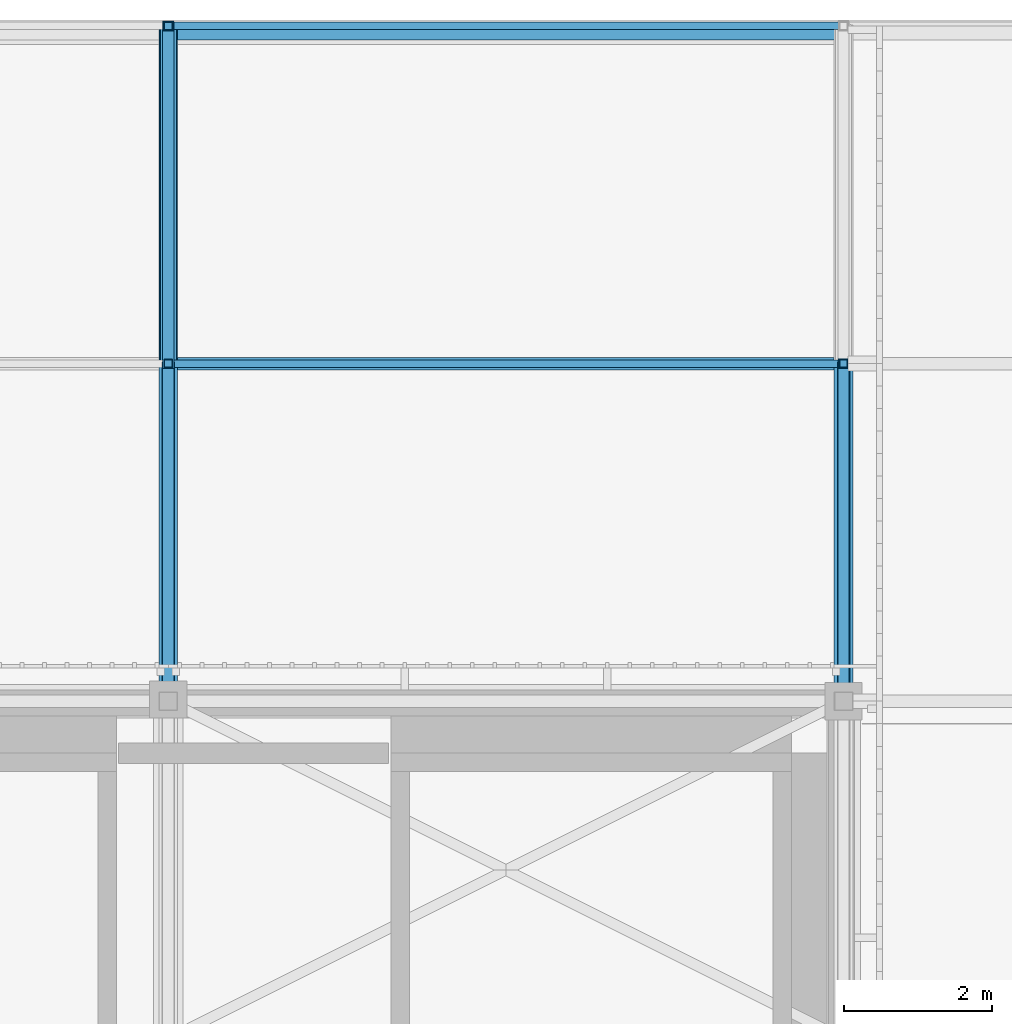
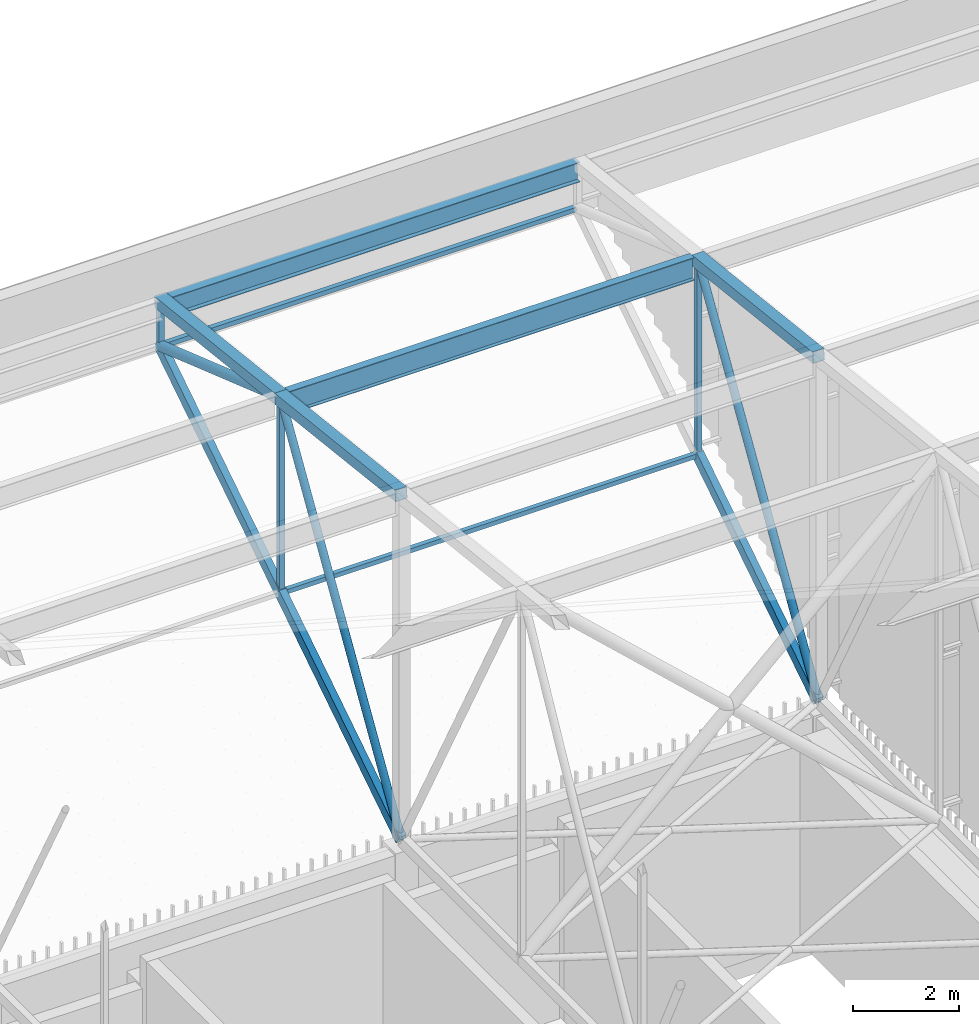
# One storey, part 408 of 500: 16 members.
"""IFC4 building model written with IfcOpenShell, lengths in metres."""

from ifc_helpers import new_model, si_unit, direction, frame, origin, origin_2d, place, context, subcontext, project, spatial, hollow_rectangle, hollow_circle, i_section, extrude, material, material_profile, profile_set, type_object, element, save


model = new_model("IFC4")

# Units and contexts
model_context = context("Model", 3, precision=1e-05, world=origin(), true_north=direction((0.0, 1.0)))
body_context = subcontext(model_context, "Body", "Model", "MODEL_VIEW")
ifc_project = project(units=[si_unit("LENGTHUNIT", "METRE"), si_unit("AREAUNIT", "SQUARE_METRE"), si_unit("VOLUMEUNIT", "CUBIC_METRE"), si_unit("PLANEANGLEUNIT", "RADIAN"), si_unit("MASSUNIT", "GRAM", prefix="KILO")], contexts=[model_context])

# Site, building, storey
site_placement = place(None, origin())
site = spatial("IfcSite", under=ifc_project, at=site_placement, CompositionType="ELEMENT")
building_placement = place(site_placement, origin())
building = spatial("IfcBuilding", under=site, at=building_placement, Name="Shirokan Park Arena", CompositionType="ELEMENT")
storey_placement = place(building_placement, frame((0.0, 0.0, 29.1201171875)))
storey = spatial("IfcBuildingStorey", under=building, at=storey_placement, Name="L06", CompositionType="ELEMENT", Elevation=29.1201171875)

# Members
ifc_material_1 = material(Name="Steel ASTM A500 Grade C", Category="steel")
ifc_material_profile_1 = material_profile(ifc_material_1, hollow_rectangle(XDim=0.152099609375, YDim=0.25390625, WallThickness=0.009521484375, at=origin_2d()), Name="HSS254X152.4X9.5")
ifc_profile_set_1 = profile_set([ifc_material_profile_1], Name="Steel ASTM A500 Grade C")
member_type_1 = type_object("IfcMemberType", Name="Bottom chord HSS254X152.4X9.5", PredefinedType="CHORD", material=ifc_profile_set_1)
for number, where, z_axis, x_axis, name in (
    (1, (136.5, 109.199951171875, 4.677001953125), (0.0, 0.840971691661, 0.541079119746), (-1.0, 0.0, 0.0), "Truss T16 bottom chord 27"),
    (2, (136.5, 113.75, 7.6044921875), (0.0, 0.840971691661, 0.541079119746), (-1.0, 0.0, 0.0), "Truss T16 bottom chord 28"),
    (3, (145.60009765625, 109.199951171875, 4.677001953125), (0.0, 0.840971691661, 0.541079119746), (-1.0, 0.0, 0.0), "Truss T17 bottom chord 27"),
):
    element("IfcMember", number, at=place(storey_placement, frame(where, z_axis=z_axis, x_axis=x_axis)), inside=storey, type_object=member_type_1, Name=name, PredefinedType="CHORD", context=body_context, shape_type="SweptSolid", body=[
        extrude(hollow_rectangle(XDim=0.152099609375, YDim=0.25390625, WallThickness=0.009521484375, at=origin_2d()), origin(), (0.0, 0.0, 1.0), 5.410400390625),
    ])
ifc_material_profile_2 = material_profile(ifc_material_1, hollow_rectangle(XDim=0.10205078125, YDim=0.10205078125, WallThickness=0.00634765625, at=origin_2d()), Name="HSS101.6X101.6X6.4")
ifc_profile_set_2 = profile_set([ifc_material_profile_2], Name="Steel ASTM A500 Grade C")
member_type_2 = type_object("IfcMemberType", Name="Eave soffit rail HSS101.6X101.6X6.4", PredefinedType="USERDEFINED", material=ifc_profile_set_2)
for number, where, z_axis, x_axis, name in (
    (4, (136.556884765625, 118.300048828125, 10.531982421875), (1.0, 0.0, 0.0), (0.0, 1.0, 0.0), "Eave soffit rail N 29 bay 16"),
    (5, (136.556884765625, 113.75, 7.6044921875), (1.0, 0.0, 0.0), (0.0, 1.0, 0.0), "Eave soffit rail N 28 bay 16"),
):
    element("IfcMember", number, at=place(storey_placement, frame(where, z_axis=z_axis, x_axis=x_axis)), inside=storey, type_object=member_type_2, Name=name, ObjectType="EAVE SOFFIT RAIL", PredefinedType="USERDEFINED", context=body_context, shape_type="SweptSolid", body=[
        extrude(hollow_rectangle(XDim=0.10205078125, YDim=0.10205078125, WallThickness=0.00634765625, at=origin_2d()), origin(), (0.0, 0.0, 1.0), 8.986083984375),
    ])
ifc_material_2 = material(Name="Steel ASTM A992", Category="steel")
ifc_material_profile_3 = material_profile(ifc_material_2, i_section(OverallWidth=0.166015625, OverallDepth=0.528076171875, WebThickness=0.009765625, FlangeThickness=0.013671875, at=origin_2d()), Name="W530X74")
ifc_profile_set_3 = profile_set([ifc_material_profile_3], Name="Steel ASTM A992")
member_type_3 = type_object("IfcMemberType", Name="Purlin W530X74", PredefinedType="PURLIN", material=ifc_profile_set_3)
member_1_placement = place(storey_placement, frame((136.626953125, 113.75, 11.9658203125), z_axis=(1.0, 0.0, 0.0), x_axis=(0.0, 1.0, 0.0)))
element("IfcMember", 6, at=member_1_placement, inside=storey, type_object=member_type_3, Name="Purlin 28 bay 16", PredefinedType="PURLIN", context=body_context, shape_type="SweptSolid", body=[
    extrude(i_section(OverallWidth=0.166015625, OverallDepth=0.528076171875, WebThickness=0.009765625, FlangeThickness=0.013671875, at=origin_2d()), origin(), (0.0, 0.0, 1.0), 8.845947265625),
])
ifc_material_profile_4 = material_profile(ifc_material_2, i_section(OverallWidth=0.19091796875, OverallDepth=0.45703125, WebThickness=0.009033203125, FlangeThickness=0.014404296875, at=origin_2d()), Name="W460X74")
ifc_profile_set_4 = profile_set([ifc_material_profile_4], Name="Steel ASTM A992")
member_type_4 = type_object("IfcMemberType", Name="Roof edge beam W460X74", PredefinedType="USERDEFINED", material=ifc_profile_set_4)
member_2_placement = place(storey_placement, frame((136.556884765625, 118.20458984375, 11.4814453125), z_axis=(1.0, 0.0, 0.0), x_axis=(0.0, 1.0, 0.0)))
element("IfcMember", 7, at=member_2_placement, inside=storey, type_object=member_type_4, Name="Roof edge beam N 17", ObjectType="ROOF EDGE BEAM", PredefinedType="USERDEFINED", context=body_context, shape_type="SweptSolid", body=[
    extrude(i_section(OverallWidth=0.19091796875, OverallDepth=0.45703125, WebThickness=0.009033203125, FlangeThickness=0.014404296875, at=origin_2d()), origin(), (0.0, 0.0, 1.0), 8.986083984375),
])
ifc_material_profile_5 = material_profile(ifc_material_1, hollow_rectangle(XDim=0.25390625, YDim=0.25390625, WallThickness=0.009521484375, at=origin_2d()), Name="HSS254X254X9.5")
ifc_profile_set_5 = profile_set([ifc_material_profile_5], Name="Steel ASTM A500 Grade C")
member_type_5 = type_object("IfcMemberType", Name="Top chord HSS254X254X9.5", PredefinedType="CHORD", material=ifc_profile_set_5)
for number, where, z_axis, x_axis, name in (
    (8, (136.5, 109.199951171875, 12.622802734375), (0.0, 0.993532328996, -0.113549598152), (-1.0, 0.0, 0.0), "Truss T16 top chord 27"),
    (9, (136.5, 113.75, 12.102783203125), (0.0, 0.993532328996, -0.113549598152), (-1.0, 0.0, 0.0), "Truss T16 top chord 28"),
    (10, (145.60009765625, 109.199951171875, 12.622802734375), (0.0, 0.993532328996, -0.113549598152), (-1.0, 0.0, 0.0), "Truss T17 top chord 27"),
):
    element("IfcMember", number, at=place(storey_placement, frame(where, z_axis=z_axis, x_axis=x_axis)), inside=storey, type_object=member_type_5, Name=name, PredefinedType="CHORD", context=body_context, shape_type="SweptSolid", body=[
        extrude(hollow_rectangle(XDim=0.25390625, YDim=0.25390625, WallThickness=0.009521484375, at=origin_2d()), origin(), (0.0, 0.0, 1.0), 4.57958984375),
    ])
ifc_material_profile_6 = material_profile(ifc_material_1, hollow_circle(Radius=0.083984375, WallThickness=0.009521484375, at=origin_2d()), Name="HSS168.3X9.5")
ifc_profile_set_6 = profile_set([ifc_material_profile_6], Name="Steel ASTM A500 Grade C")
member_type_6 = type_object("IfcMemberType", Name="Truss diagonal HSS168.3X9.5", PredefinedType="BRACE", material=ifc_profile_set_6)
for number, where, z_axis, x_axis, name in (
    (11, (136.5, 109.199951171875, 4.677001953125), (0.0, 0.522458847856, 0.852664501605), (-1.0, 0.0, 0.0), "Truss T16 diagonal 27"),
    (12, (145.60009765625, 109.199951171875, 4.677001953125), (0.0, 0.522458847856, 0.852664501605), (-1.0, 0.0, 0.0), "Truss T17 diagonal 27"),
):
    element("IfcMember", number, at=place(storey_placement, frame(where, z_axis=z_axis, x_axis=x_axis)), inside=storey, type_object=member_type_6, Name=name, PredefinedType="BRACE", context=body_context, shape_type="SweptSolid", body=[
        extrude(hollow_circle(Radius=0.083984375, WallThickness=0.009521484375, at=origin_2d()), origin(), (0.0, 0.0, 1.0), 8.708984375),
    ])
ifc_material_profile_7 = material_profile(ifc_material_1, hollow_circle(Radius=0.109619140625, WallThickness=0.009521484375, at=origin_2d()), Name="HSS219.1X9.5")
ifc_profile_set_7 = profile_set([ifc_material_profile_7], Name="Steel ASTM A500 Grade C")
member_type_7 = type_object("IfcMemberType", Name="Truss diagonal HSS219.1X9.5", PredefinedType="BRACE", material=ifc_profile_set_7)
member_3_placement = place(storey_placement, frame((136.5, 113.75, 12.102783203125), z_axis=(0.0, 0.945256498603, -0.326328288459), x_axis=(-1.0, 0.0, 0.0)))
element("IfcMember", 13, at=member_3_placement, inside=storey, type_object=member_type_7, Name="Truss T16 diagonal 28", PredefinedType="BRACE", context=body_context, shape_type="SweptSolid", body=[
    extrude(hollow_circle(Radius=0.109619140625, WallThickness=0.009521484375, at=origin_2d()), origin(), (0.0, 0.0, 1.0), 4.8134765625),
])
ifc_material_profile_8 = material_profile(ifc_material_1, hollow_rectangle(XDim=0.114013671875, YDim=0.114013671875, WallThickness=0.00634765625, at=origin_2d()), Name="HSS114.3X114.3X6.4")
ifc_profile_set_8 = profile_set([ifc_material_profile_8], Name="Steel ASTM A500 Grade C")
member_type_8 = type_object("IfcMemberType", Name="Truss post HSS114.3X114.3X6.4", PredefinedType="POST", material=ifc_profile_set_8)
member_4_placement = place(storey_placement, frame((136.5, 113.75, 7.6044921875), z_axis=(0.0, 0.0, 1.0), x_axis=(1.0, 0.0, 0.0)))
element("IfcMember", 14, at=member_4_placement, inside=storey, type_object=member_type_8, Name="Truss T16 post 28", PredefinedType="POST", context=body_context, shape_type="SweptSolid", body=[
    extrude(hollow_rectangle(XDim=0.114013671875, YDim=0.114013671875, WallThickness=0.00634765625, at=origin_2d()), origin(), (0.0, 0.0, 1.0), 4.498291015625),
])
member_5_placement = place(storey_placement, frame((136.5, 118.300048828125, 10.531982421875), z_axis=(0.0, 0.0, 1.0), x_axis=(1.0, 0.0, 0.0)))
element("IfcMember", 15, at=member_5_placement, inside=storey, type_object=member_type_8, Name="Truss T16 post 29", PredefinedType="POST", context=body_context, shape_type="SweptSolid", body=[
    extrude(hollow_rectangle(XDim=0.114013671875, YDim=0.114013671875, WallThickness=0.00634765625, at=origin_2d()), origin(), (0.0, 0.0, 1.0), 1.05078125),
])
member_6_placement = place(storey_placement, frame((145.60009765625, 113.75, 7.6044921875), z_axis=(0.0, 0.0, 1.0), x_axis=(1.0, 0.0, 0.0)))
element("IfcMember", 16, at=member_6_placement, inside=storey, type_object=member_type_8, Name="Truss T17 post 28", PredefinedType="POST", context=body_context, shape_type="SweptSolid", body=[
    extrude(hollow_rectangle(XDim=0.114013671875, YDim=0.114013671875, WallThickness=0.00634765625, at=origin_2d()), origin(), (0.0, 0.0, 1.0), 4.498291015625),
])

save(model, "model.ifc")
